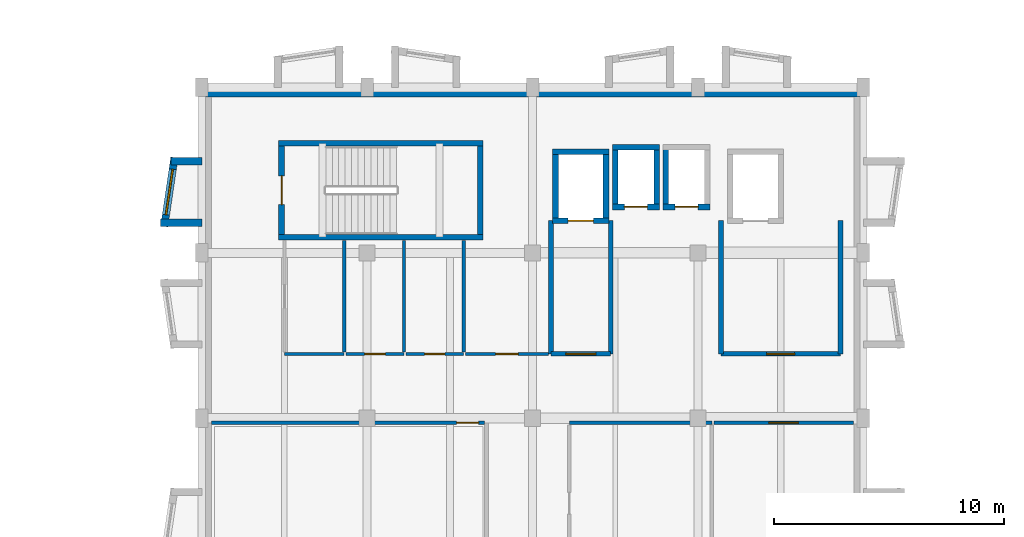
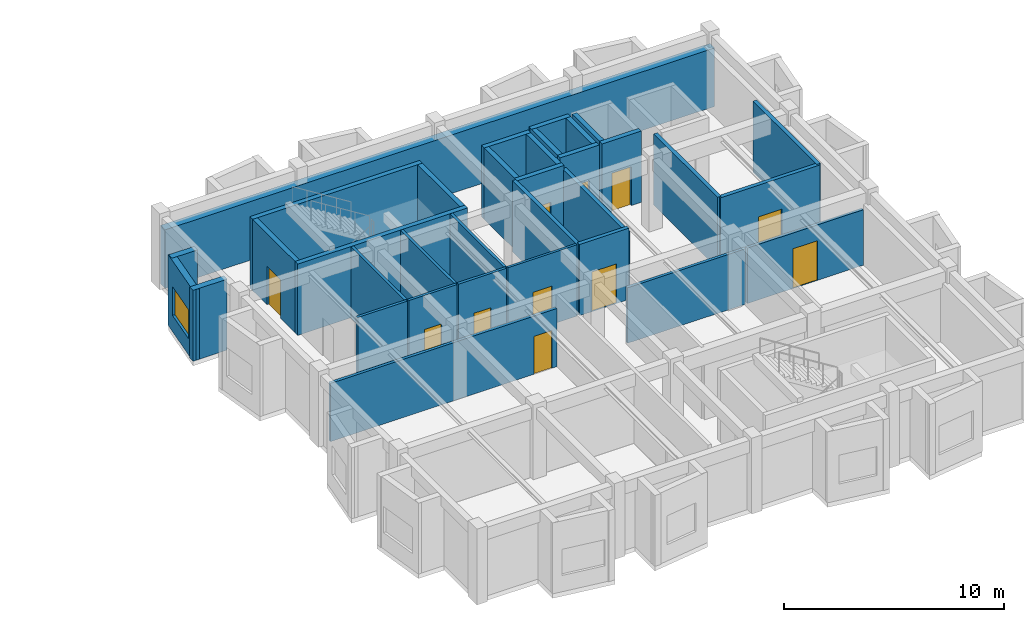
# One storey, part 38 of 49: 34 walls, 11 doors, 1 window, 12 openings.
"""IFC4 building model written with IfcOpenShell, lengths in metres."""

from ifc_helpers import new_model, si_unit, direction, frame, frame_2d, origin, place, context, subcontext, project, spatial, rectangle, extrude, material, layer, layer_set, type_object, element, fill, save


model = new_model("IFC4")

# Units and contexts
model_context = context("Model", 3, precision=1e-05, world=origin(), true_north=direction((0.0, 1.0)))
body_context = subcontext(model_context, "Body", "Model", "MODEL_VIEW")
ifc_project = project(units=[si_unit("LENGTHUNIT", "METRE"), si_unit("AREAUNIT", "SQUARE_METRE"), si_unit("VOLUMEUNIT", "CUBIC_METRE"), si_unit("PLANEANGLEUNIT", "RADIAN"), si_unit("MASSUNIT", "GRAM", prefix="KILO")], contexts=[model_context])

# Site, building, storey
site_placement = place(None, origin())
site = spatial("IfcSite", under=ifc_project, at=site_placement, CompositionType="ELEMENT")
building_placement = place(site_placement, origin())
building = spatial("IfcBuilding", under=site, at=building_placement, Name="Bramveld Media Centre", CompositionType="ELEMENT")
storey_placement = place(building_placement, frame((0.0, 0.0, 9.60009765625)))
storey = spatial("IfcBuildingStorey", under=building, at=storey_placement, Name="L02", CompositionType="ELEMENT", Elevation=9.60009765625)

# Walls
ifc_material_1 = material(Name="Concrete C40/50 stair & lift core wall", Category="concrete")
ifc_layer_1 = layer(ifc_material_1, 0.25)
ifc_layer_set_1 = layer_set([ifc_layer_1], Name="Concrete C40/50 stair & lift core wall")
wall_type_1 = type_object("IfcWallType", Name="CWALL-SHEAR-250", PredefinedType="SHEAR", material=ifc_layer_set_1)
for number, where, z_axis, x_axis, name in (
    (1, (134.550048828125, 105.47509765625, 0.0), (0.0, 0.0, 1.0), (1.0, 0.0, 0.0), "ST-01 L02 stair core shear wall S"),
    (2, (143.449951171875, 109.574951171875, 0.0), (0.0, 0.0, 1.0), (-1.0, 0.0, 0.0), "ST-01 L02 stair core shear wall N"),
):
    element("IfcWall", number, at=place(storey_placement, frame(where, z_axis=z_axis, x_axis=x_axis)), inside=storey, type_object=wall_type_1, Name=name, PredefinedType="SHEAR", context=body_context, shape_type="SweptSolid", body=[
        extrude(rectangle(XDim=8.89990234375, YDim=0.25, at=frame_2d((4.449951171875, 0.0))), origin(), (0.0, 0.0, 1.0), 3.949951171875),
    ])

# Wall, opening, door
wall_1_placement = place(storey_placement, frame((134.675048828125, 109.449951171875, 0.0), z_axis=(0.0, 0.0, 1.0), x_axis=(0.0, -1.0, 0.0)))
wall_1 = element("IfcWall", 3, at=wall_1_placement, inside=storey, type_object=wall_type_1, Name="ST-01 L02 stair core shear wall W", PredefinedType="SHEAR", context=body_context, shape_type="SweptSolid", body=[
    extrude(rectangle(XDim=3.849853515625, YDim=0.25, at=frame_2d((1.9248046875, 0.0))), origin(), (0.0, 0.0, 1.0), 3.949951171875),
])
opening_1_placement = place(wall_1_placement, frame((1.300048828125, 0.0, 0.0)))
opening_1 = element("IfcOpeningElement", 4, at=opening_1_placement, cuts=wall_1, Name="Opening SD-01-L02", PredefinedType="OPENING", context=body_context, shape_type="SweptSolid", body=[
    extrude(rectangle(XDim=1.25, YDim=2.14990234375, at=frame_2d((0.625, 1.074951171875))), frame((0.0, 0.136962890625, 0.0), z_axis=(0.0, -1.0, 0.0), x_axis=(1.0, 0.0, 0.0)), (0.0, 0.0, 1.0), 0.27392578125),
])
ifc_material_2 = material(Name="Painted galvanized steel acoustic fire door with intumescent smoke seals", Category="steel")
door_type_1 = type_object("IfcDoorType", Name="DR-ST-1250", OperationType="NOTDEFINED", PredefinedType="DOOR", material=ifc_material_2)
door_1_placement = place(opening_1_placement, origin())
door_1 = element("IfcDoor", 5, at=door_1_placement, inside=storey, type_object=door_type_1, Name="ST-01 L02 pressurized stair fire door", OperationType="SINGLE_SWING_LEFT", OverallHeight=2.14990234375, OverallWidth=1.25, PredefinedType="DOOR", context=body_context, shape_type="SweptSolid", body=[
    extrude(rectangle(XDim=1.25, YDim=2.14990234375, at=frame_2d((0.625, 1.074951171875))), frame((0.0, 0.02490234375, 0.0), z_axis=(0.0, -1.0, 0.0), x_axis=(1.0, 0.0, 0.0)), (0.0, 0.0, 1.0), 0.050048828125),
])
fill(opening_1, door_1)

# Wall
wall_2_placement = place(storey_placement, frame((143.324951171875, 105.60009765625, 0.0), z_axis=(0.0, 0.0, 1.0), x_axis=(0.0, 1.0, 0.0)))
element("IfcWall", 6, at=wall_2_placement, inside=storey, type_object=wall_type_1, Name="ST-01 L02 stair core shear wall E", PredefinedType="SHEAR", context=body_context, shape_type="SweptSolid", body=[
    extrude(rectangle(XDim=3.849853515625, YDim=0.25, at=frame_2d((1.9248046875, 0.0))), origin(), (0.0, 0.0, 1.0), 3.949951171875),
])

# Wall, opening, door
wall_3_placement = place(storey_placement, frame((146.47509765625, 106.199951171875, 0.0), z_axis=(0.0, 0.0, 1.0), x_axis=(1.0, 0.0, 0.0)))
wall_3 = element("IfcWall", 7, at=wall_3_placement, inside=storey, type_object=wall_type_1, Name="FL-01 L02 lift shaft wall S", PredefinedType="SHEAR", context=body_context, shape_type="SweptSolid", body=[
    extrude(rectangle(XDim=2.449951171875, YDim=0.25, at=frame_2d((1.22509765625, 0.0))), origin(), (0.0, 0.0, 1.0), 3.949951171875),
])
opening_2_placement = place(wall_3_placement, frame((0.675048828125, 0.0, 0.0)))
opening_2 = element("IfcOpeningElement", 8, at=opening_2_placement, cuts=wall_3, Name="Opening LD-01-01-L02", PredefinedType="OPENING", context=body_context, shape_type="SweptSolid", body=[
    extrude(rectangle(XDim=1.10009765625, YDim=2.14990234375, at=frame_2d((0.550048828125, 1.074951171875))), frame((0.0, 0.136962890625, 0.0), z_axis=(0.0, -1.0, 0.0), x_axis=(1.0, 0.0, 0.0)), (0.0, 0.0, 1.0), 0.27392578125),
])
ifc_material_3 = material(Name="Brushed stainless steel automatic fire-rated sliding lift landing door", Category="steel")
door_type_2 = type_object("IfcDoorType", Name="LD-TYPE-01", OperationType="SLIDING_TO_LEFT", PredefinedType="DOOR", material=ifc_material_3)
door_2_placement = place(opening_2_placement, origin())
door_2 = element("IfcDoor", 9, at=door_2_placement, inside=storey, type_object=door_type_2, Name="FL-01 L02 sliding lift landing door", OperationType="SLIDING_TO_LEFT", OverallHeight=2.14990234375, OverallWidth=1.10009765625, PredefinedType="DOOR", context=body_context, shape_type="SweptSolid", body=[
    extrude(rectangle(XDim=1.10009765625, YDim=2.14990234375, at=frame_2d((0.550048828125, 1.074951171875))), frame((0.0, 0.02490234375, 0.0), z_axis=(0.0, -1.0, 0.0), x_axis=(1.0, 0.0, 0.0)), (0.0, 0.0, 1.0), 0.050048828125),
])
fill(opening_2, door_2)

# Walls
wall_4_placement = place(storey_placement, frame((148.925048828125, 109.199951171875, 0.0), z_axis=(0.0, 0.0, 1.0), x_axis=(-1.0, 0.0, 0.0)))
element("IfcWall", 10, at=wall_4_placement, inside=storey, type_object=wall_type_1, Name="FL-01 L02 lift shaft wall N", PredefinedType="SHEAR", context=body_context, shape_type="SweptSolid", body=[
    extrude(rectangle(XDim=2.449951171875, YDim=0.25, at=frame_2d((1.22509765625, 0.0))), origin(), (0.0, 0.0, 1.0), 3.949951171875),
])
for number, where, z_axis, x_axis, name in (
    (11, (146.60009765625, 109.199951171875, 0.0), (0.0, 0.0, 1.0), (0.0, -1.0, 0.0), "FL-01 L02 lift shaft wall W"),
    (12, (148.800048828125, 106.199951171875, 0.0), (0.0, 0.0, 1.0), (0.0, 1.0, 0.0), "FL-01 L02 lift shaft wall E"),
):
    element("IfcWall", number, at=place(storey_placement, frame(where, z_axis=z_axis, x_axis=x_axis)), inside=storey, type_object=wall_type_1, Name=name, PredefinedType="SHEAR", context=body_context, shape_type="SweptSolid", body=[
        extrude(rectangle(XDim=3.0, YDim=0.25, at=frame_2d((1.5, 0.0))), origin(), (0.0, 0.0, 1.0), 3.949951171875),
    ])

# Wall, opening, door
wall_5_placement = place(storey_placement, frame((149.074951171875, 106.800048828125, 0.0), z_axis=(0.0, 0.0, 1.0), x_axis=(1.0, 0.0, 0.0)))
wall_5 = element("IfcWall", 13, at=wall_5_placement, inside=storey, type_object=wall_type_1, Name="PL-01 L02 lift shaft wall S", PredefinedType="SHEAR", context=body_context, shape_type="SweptSolid", body=[
    extrude(rectangle(XDim=2.050048828125, YDim=0.25, at=frame_2d((1.02490234375, 0.0))), origin(), (0.0, 0.0, 1.0), 3.949951171875),
])
opening_3_placement = place(wall_5_placement, frame((0.52490234375, 0.0, 0.0)))
opening_3 = element("IfcOpeningElement", 14, at=opening_3_placement, cuts=wall_5, Name="Opening LD-02-01-L02", PredefinedType="OPENING", context=body_context, shape_type="SweptSolid", body=[
    extrude(rectangle(XDim=1.0, YDim=2.14990234375, at=frame_2d((0.5, 1.074951171875))), frame((0.0, 0.136962890625, 0.0), z_axis=(0.0, -1.0, 0.0), x_axis=(1.0, 0.0, 0.0)), (0.0, 0.0, 1.0), 0.27392578125),
])
ifc_material_4 = material(Name="Brushed stainless steel automatic fire-rated sliding lift landing door", Category="steel")
door_type_3 = type_object("IfcDoorType", Name="LD-TYPE-02", OperationType="SLIDING_TO_LEFT", PredefinedType="DOOR", material=ifc_material_4)
door_3_placement = place(opening_3_placement, origin())
door_3 = element("IfcDoor", 15, at=door_3_placement, inside=storey, type_object=door_type_3, Name="PL-01 L02 sliding lift landing door", OperationType="SLIDING_TO_LEFT", OverallHeight=2.14990234375, OverallWidth=1.0, PredefinedType="DOOR", context=body_context, shape_type="SweptSolid", body=[
    extrude(rectangle(XDim=1.0, YDim=2.14990234375, at=frame_2d((0.5, 1.074951171875))), frame((0.0, 0.02490234375, 0.0), z_axis=(0.0, -1.0, 0.0), x_axis=(1.0, 0.0, 0.0)), (0.0, 0.0, 1.0), 0.050048828125),
])
fill(opening_3, door_3)

# Walls
wall_6_placement = place(storey_placement, frame((151.125, 109.39990234375, 0.0), z_axis=(0.0, 0.0, 1.0), x_axis=(-1.0, 0.0, 0.0)))
element("IfcWall", 16, at=wall_6_placement, inside=storey, type_object=wall_type_1, Name="PL-01 L02 lift shaft wall N", PredefinedType="SHEAR", context=body_context, shape_type="SweptSolid", body=[
    extrude(rectangle(XDim=2.050048828125, YDim=0.25, at=frame_2d((1.02490234375, 0.0))), origin(), (0.0, 0.0, 1.0), 3.949951171875),
])
for number, where, z_axis, x_axis, name in (
    (17, (149.199951171875, 109.39990234375, 0.0), (0.0, 0.0, 1.0), (0.0, -1.0, 0.0), "PL-01 L02 lift shaft wall W"),
    (18, (151.0, 106.800048828125, 0.0), (0.0, 0.0, 1.0), (0.0, 1.0, 0.0), "PL-01 L02 lift shaft wall E"),
):
    element("IfcWall", number, at=place(storey_placement, frame(where, z_axis=z_axis, x_axis=x_axis)), inside=storey, type_object=wall_type_1, Name=name, PredefinedType="SHEAR", context=body_context, shape_type="SweptSolid", body=[
        extrude(rectangle(XDim=2.599853515625, YDim=0.25, at=frame_2d((1.2998046875, 0.0))), origin(), (0.0, 0.0, 1.0), 3.949951171875),
    ])

# Wall, opening, door
wall_7_placement = place(storey_placement, frame((151.27490234375, 106.800048828125, 0.0), z_axis=(0.0, 0.0, 1.0), x_axis=(1.0, 0.0, 0.0)))
wall_7 = element("IfcWall", 19, at=wall_7_placement, inside=storey, type_object=wall_type_1, Name="PL-02 L02 lift shaft wall S", PredefinedType="SHEAR", context=body_context, shape_type="SweptSolid", body=[
    extrude(rectangle(XDim=2.050048828125, YDim=0.25, at=frame_2d((1.02490234375, 0.0))), origin(), (0.0, 0.0, 1.0), 3.949951171875),
])
opening_4_placement = place(wall_7_placement, frame((0.52490234375, 0.0, 0.0)))
opening_4 = element("IfcOpeningElement", 20, at=opening_4_placement, cuts=wall_7, Name="Opening LD-02-02-L02", PredefinedType="OPENING", context=body_context, shape_type="SweptSolid", body=[
    extrude(rectangle(XDim=1.0, YDim=2.14990234375, at=frame_2d((0.5, 1.074951171875))), frame((0.0, 0.136962890625, 0.0), z_axis=(0.0, -1.0, 0.0), x_axis=(1.0, 0.0, 0.0)), (0.0, 0.0, 1.0), 0.27392578125),
])
door_4_placement = place(opening_4_placement, origin())
door_4 = element("IfcDoor", 21, at=door_4_placement, inside=storey, type_object=door_type_3, Name="PL-02 L02 sliding lift landing door", OperationType="SLIDING_TO_LEFT", OverallHeight=2.14990234375, OverallWidth=1.0, PredefinedType="DOOR", context=body_context, shape_type="SweptSolid", body=[
    extrude(rectangle(XDim=1.0, YDim=2.14990234375, at=frame_2d((0.5, 1.074951171875))), frame((0.0, 0.02490234375, 0.0), z_axis=(0.0, -1.0, 0.0), x_axis=(1.0, 0.0, 0.0)), (0.0, 0.0, 1.0), 0.050048828125),
])
fill(opening_4, door_4)

# Walls
wall_8_placement = place(storey_placement, frame((151.39990234375, 109.39990234375, 0.0), z_axis=(0.0, 0.0, 1.0), x_axis=(0.0, -1.0, 0.0)))
element("IfcWall", 22, at=wall_8_placement, inside=storey, type_object=wall_type_1, Name="PL-02 L02 lift shaft wall W", PredefinedType="SHEAR", context=body_context, shape_type="SweptSolid", body=[
    extrude(rectangle(XDim=2.599853515625, YDim=0.25, at=frame_2d((1.2998046875, 0.0))), origin(), (0.0, 0.0, 1.0), 3.949951171875),
])
ifc_material_5 = material(Name="Flemish red-brown clay facing brick cavity wall with concrete C35/45 inner leaf", Category="masonry")
ifc_layer_2 = layer(ifc_material_5, 0.419921875)
ifc_layer_set_2 = layer_set([ifc_layer_2], Name="Flemish red-brown clay facing brick cavity wall with concrete C35/45 inner leaf")
wall_type_2 = type_object("IfcWallType", Name="EW-BRK-420", PredefinedType="SOLIDWALL", material=ifc_layer_set_2)
wall_9_placement = place(storey_placement, frame((131.199951171875, 111.7900390625, 0.0), z_axis=(0.0, 0.0, 1.0), x_axis=(1.0, 0.0, 0.0)))
element("IfcWall", 23, at=wall_9_placement, inside=storey, type_object=wall_type_2, Name="V7 L02 N facing brick exterior wall", PredefinedType="SOLIDWALL", context=body_context, shape_type="SweptSolid", body=[
    extrude(rectangle(XDim=28.800048828125, YDim=0.419921875, at=frame_2d((14.39990234375, 0.0))), origin(), (0.0, 0.0, 1.0), 3.244873046875),
])

# Wall, opening, window
ifc_material_6 = material(Name="Precast concrete C40/50 & brick-slip faceted bay cheek wall", Category="masonry")
ifc_layer_3 = layer(ifc_material_6, 0.320068359375)
ifc_layer_set_3 = layer_set([ifc_layer_3], Name="Precast concrete C40/50 & brick-slip faceted bay cheek wall")
wall_type_3 = type_object("IfcWallType", Name="EW-FACET-320", PredefinedType="SOLIDWALL", material=ifc_layer_set_3)
wall_10_placement = place(storey_placement, frame((130.010009765625, 108.949951171875, 0.0), z_axis=(0.0, 0.0, 1.0), x_axis=(-0.146119746268, -0.989266910268, 0.0)))
wall_10 = element("IfcWall", 24, at=wall_10_placement, inside=storey, type_object=wall_type_3, Name="V7 L02 W angled faceted bay front wall 4", PredefinedType="SOLIDWALL", context=body_context, shape_type="SweptSolid", body=[
    extrude(rectangle(XDim=3.032470703125, YDim=0.320068359375, at=frame_2d((1.51611328125, 0.0))), origin(), (0.0, 0.0, 1.0), 3.929931640625),
])
opening_5_placement = place(wall_10_placement, frame((0.516357421875, 0.0, 0.89990234375)))
opening_5 = element("IfcOpeningElement", 25, at=opening_5_placement, cuts=wall_10, Name="Opening W-31", PredefinedType="OPENING", context=body_context, shape_type="SweptSolid", body=[
    extrude(rectangle(XDim=2.0, YDim=1.60009765625, at=frame_2d((1.0, 0.800048828125))), frame((0.0, 0.171875, 0.0), z_axis=(0.0, -1.0, 0.0), x_axis=(1.0, 0.0, 0.0)), (0.0, 0.0, 1.0), 0.343994140625),
])
ifc_material_7 = material(Name="Thermally broken anodized bronze aluminium frame with triple acoustic glazing", Category="aluminium")
window_type = type_object("IfcWindowType", Name="WIN-FAC-31", PartitioningType="SINGLE_PANEL", PredefinedType="WINDOW", material=ifc_material_7)
window_placement = place(opening_5_placement, origin())
window = element("IfcWindow", 26, at=window_placement, inside=storey, type_object=window_type, Name="V7 L02 W faceted bay window 4", OverallHeight=1.60009765625, OverallWidth=2.0, PartitioningType="SINGLE_PANEL", PredefinedType="WINDOW", context=body_context, shape_type="SweptSolid", body=[
    extrude(rectangle(XDim=2.0, YDim=1.60009765625, at=frame_2d((1.0, 0.800048828125))), frame((0.0, 0.030029296875, 0.0), z_axis=(0.0, -1.0, 0.0), x_axis=(1.0, 0.0, 0.0)), (0.0, 0.0, 1.0), 0.06005859375),
])
fill(opening_5, window)

# Walls
wall_11_placement = place(storey_placement, frame((131.199951171875, 106.110107421875, 0.0), z_axis=(0.0, 0.0, 1.0), x_axis=(-1.0, 0.0, 0.0)))
element("IfcWall", 27, at=wall_11_placement, inside=storey, type_object=wall_type_3, Name="V7 L02 W faceted bay cheek wall", PredefinedType="SOLIDWALL", context=body_context, shape_type="SweptSolid", body=[
    extrude(rectangle(XDim=1.79296875, YDim=0.320068359375, at=frame_2d((0.896484375, 0.0))), origin(), (0.0, 0.0, 1.0), 3.929931640625),
])
wall_12_placement = place(storey_placement, frame((131.199951171875, 108.7900390625, 0.0), z_axis=(0.0, 0.0, 1.0), x_axis=(-1.0, 0.0, 0.0)))
element("IfcWall", 28, at=wall_12_placement, inside=storey, type_object=wall_type_3, Name="V7 L02 W faceted bay cheek wall", PredefinedType="SOLIDWALL", context=body_context, shape_type="SweptSolid", body=[
    extrude(rectangle(XDim=1.349853515625, YDim=0.320068359375, at=frame_2d((0.6748046875, 0.0))), origin(), (0.0, 0.0, 1.0), 3.929931640625),
])

# Wall, opening, door
ifc_material_8 = material(Name="Acoustic calcium-silicate & mineral-wool compartment partition", Category="masonry")
ifc_layer_4 = layer(ifc_material_8, 0.199951171875)
ifc_layer_set_4 = layer_set([ifc_layer_4], Name="Acoustic calcium-silicate & mineral-wool compartment partition")
wall_type_4 = type_object("IfcWallType", Name="IW-ACOU-200", PredefinedType="PARTITIONING", material=ifc_layer_set_4)
wall_13_placement = place(storey_placement, frame((146.39990234375, 100.39990234375, 0.0), z_axis=(0.0, 0.0, 1.0), x_axis=(1.0, 0.0, 0.0)))
wall_13 = element("IfcWall", 29, at=wall_13_placement, inside=storey, type_object=wall_type_4, Name="FL-01 L02 EI 120 firefighting lift lobby wall S", PredefinedType="PARTITIONING", context=body_context, shape_type="SweptSolid", body=[
    extrude(rectangle(XDim=2.60009765625, YDim=0.199951171875, at=frame_2d((1.300048828125, 0.0))), origin(), (0.0, 0.0, 1.0), 3.949951171875),
])
opening_6_placement = place(wall_13_placement, frame((0.64990234375, 0.0, 0.0)))
opening_6 = element("IfcOpeningElement", 30, at=opening_6_placement, cuts=wall_13, Name="Opening FD-01-L02", PredefinedType="OPENING", context=body_context, shape_type="SweptSolid", body=[
    extrude(rectangle(XDim=1.300048828125, YDim=2.199951171875, at=frame_2d((0.64990234375, 1.10009765625))), frame((0.0, 0.11181640625, 0.0), z_axis=(0.0, -1.0, 0.0), x_axis=(1.0, 0.0, 0.0)), (0.0, 0.0, 1.0), 0.223876953125),
])
ifc_material_9 = material(Name="Painted galvanized steel acoustic fire door with intumescent smoke seals", Category="steel")
door_type_4 = type_object("IfcDoorType", Name="DR-FFL-1300", OperationType="NOTDEFINED", PredefinedType="DOOR", material=ifc_material_9)
door_5_placement = place(opening_6_placement, origin())
door_5 = element("IfcDoor", 31, at=door_5_placement, inside=storey, type_object=door_type_4, Name="FL-01 L02 firefighting lobby smoke-control door", OperationType="SINGLE_SWING_LEFT", OverallHeight=2.199951171875, OverallWidth=1.300048828125, PredefinedType="DOOR", context=body_context, shape_type="SweptSolid", body=[
    extrude(rectangle(XDim=1.300048828125, YDim=2.199951171875, at=frame_2d((0.64990234375, 1.10009765625))), frame((0.0, 0.02490234375, 0.0), z_axis=(0.0, -1.0, 0.0), x_axis=(1.0, 0.0, 0.0)), (0.0, 0.0, 1.0), 0.050048828125),
])
fill(opening_6, door_5)

# Walls
wall_14_placement = place(storey_placement, frame((146.39990234375, 106.199951171875, 0.0), z_axis=(0.0, 0.0, 1.0), x_axis=(0.0, -1.0, 0.0)))
element("IfcWall", 32, at=wall_14_placement, inside=storey, type_object=wall_type_4, Name="FL-01 L02 EI 120 firefighting lift lobby wall W", PredefinedType="PARTITIONING", context=body_context, shape_type="SweptSolid", body=[
    extrude(rectangle(XDim=5.800048828125, YDim=0.199951171875, at=frame_2d((2.89990234375, 0.0))), origin(), (0.0, 0.0, 1.0), 3.949951171875),
])
wall_15_placement = place(storey_placement, frame((149.0, 100.39990234375, 0.0), z_axis=(0.0, 0.0, 1.0), x_axis=(0.0, 1.0, 0.0)))
element("IfcWall", 33, at=wall_15_placement, inside=storey, type_object=wall_type_4, Name="FL-01 L02 EI 120 firefighting lift lobby wall E", PredefinedType="PARTITIONING", context=body_context, shape_type="SweptSolid", body=[
    extrude(rectangle(XDim=5.800048828125, YDim=0.199951171875, at=frame_2d((2.89990234375, 0.0))), origin(), (0.0, 0.0, 1.0), 3.704833984375),
])

# Wall, opening, door
wall_16_placement = place(storey_placement, frame((153.800048828125, 100.39990234375, 0.0), z_axis=(0.0, 0.0, 1.0), x_axis=(1.0, 0.0, 0.0)))
wall_16 = element("IfcWall", 34, at=wall_16_placement, inside=storey, type_object=wall_type_4, Name="FL-02 L02 EI 120 firefighting lift lobby wall S", PredefinedType="PARTITIONING", context=body_context, shape_type="SweptSolid", body=[
    extrude(rectangle(XDim=5.199951171875, YDim=0.199951171875, at=frame_2d((2.60009765625, 0.0))), origin(), (0.0, 0.0, 1.0), 3.949951171875),
])
opening_7_placement = place(wall_16_placement, frame((1.989990234375, 0.0, 0.0)))
opening_7 = element("IfcOpeningElement", 35, at=opening_7_placement, cuts=wall_16, Name="Opening FD-02-L02", PredefinedType="OPENING", context=body_context, shape_type="SweptSolid", body=[
    extrude(rectangle(XDim=1.219970703125, YDim=2.199951171875, at=frame_2d((0.60986328125, 1.10009765625))), frame((0.0, 0.11181640625, 0.0), z_axis=(0.0, -1.0, 0.0), x_axis=(1.0, 0.0, 0.0)), (0.0, 0.0, 1.0), 0.223876953125),
])
ifc_material_10 = material(Name="Painted galvanized steel acoustic fire door with intumescent smoke seals", Category="steel")
door_type_5 = type_object("IfcDoorType", Name="DR-FFL-1220", OperationType="NOTDEFINED", PredefinedType="DOOR", material=ifc_material_10)
door_6_placement = place(opening_7_placement, origin())
door_6 = element("IfcDoor", 36, at=door_6_placement, inside=storey, type_object=door_type_5, Name="FL-02 L02 firefighting lobby smoke-control door", OperationType="SINGLE_SWING_LEFT", OverallHeight=2.199951171875, OverallWidth=1.219970703125, PredefinedType="DOOR", context=body_context, shape_type="SweptSolid", body=[
    extrude(rectangle(XDim=1.219970703125, YDim=2.199951171875, at=frame_2d((0.60986328125, 1.10009765625))), frame((0.0, 0.02490234375, 0.0), z_axis=(0.0, -1.0, 0.0), x_axis=(1.0, 0.0, 0.0)), (0.0, 0.0, 1.0), 0.050048828125),
])
fill(opening_7, door_6)

# Walls
for number, where, z_axis, x_axis, name in (
    (37, (153.800048828125, 106.199951171875, 0.0), (0.0, 0.0, 1.0), (0.0, -1.0, 0.0), "FL-02 L02 EI 120 firefighting lift lobby wall W"),
    (38, (159.0, 100.39990234375, 0.0), (0.0, 0.0, 1.0), (0.0, 1.0, 0.0), "FL-02 L02 EI 120 firefighting lift lobby wall E"),
):
    element("IfcWall", number, at=place(storey_placement, frame(where, z_axis=z_axis, x_axis=x_axis)), inside=storey, type_object=wall_type_4, Name=name, PredefinedType="PARTITIONING", context=body_context, shape_type="SweptSolid", body=[
        extrude(rectangle(XDim=5.800048828125, YDim=0.199951171875, at=frame_2d((2.89990234375, 0.0))), origin(), (0.0, 0.0, 1.0), 3.949951171875),
    ])

# Wall, opening, door
ifc_material_11 = material(Name="Lightweight acoustic stud partition", Category="gypsum")
ifc_layer_5 = layer(ifc_material_11, 0.125)
ifc_layer_set_5 = layer_set([ifc_layer_5], Name="Lightweight acoustic stud partition")
wall_type_5 = type_object("IfcWallType", Name="IW-PART-125", PredefinedType="PARTITIONING", material=ifc_layer_set_5)
wall_17_placement = place(storey_placement, frame((142.679931640625, 100.39990234375, 0.0), z_axis=(0.0, 0.0, 1.0), x_axis=(1.0, 0.0, 0.0)))
wall_17 = element("IfcWall", 39, at=wall_17_placement, inside=storey, type_object=wall_type_5, Name="Media Editing Booth L02 partition wall", PredefinedType="PARTITIONING", context=body_context, shape_type="SweptSolid", body=[
    extrude(rectangle(XDim=3.610107421875, YDim=0.125, at=frame_2d((1.80517578125, 0.0))), origin(), (0.0, 0.0, 1.0), 3.949951171875),
])
opening_8_placement = place(wall_17_placement, frame((1.31494140625, 0.0, 0.0)))
opening_8 = element("IfcOpeningElement", 40, at=opening_8_placement, cuts=wall_17, Name="Opening D-02-135", PredefinedType="OPENING", context=body_context, shape_type="SweptSolid", body=[
    extrude(rectangle(XDim=0.97998046875, YDim=2.1201171875, at=frame_2d((0.489990234375, 1.06005859375))), frame((0.0, 0.074462890625, 0.0), z_axis=(0.0, -1.0, 0.0), x_axis=(1.0, 0.0, 0.0)), (0.0, 0.0, 1.0), 0.14892578125),
])
ifc_material_12 = material(Name="Solid-core European oak acoustic timber leaf in steel frame", Category="steel")
door_type_6 = type_object("IfcDoorType", Name="DR-RM-0980", OperationType="NOTDEFINED", PredefinedType="DOOR", material=ifc_material_12)
door_7_placement = place(opening_8_placement, origin())
door_7 = element("IfcDoor", 41, at=door_7_placement, inside=storey, type_object=door_type_6, Name="Media Editing Booth L02 entrance door", OperationType="SINGLE_SWING_RIGHT", OverallHeight=2.1201171875, OverallWidth=0.97998046875, PredefinedType="DOOR", context=body_context, shape_type="SweptSolid", body=[
    extrude(rectangle(XDim=0.97998046875, YDim=2.1201171875, at=frame_2d((0.489990234375, 1.06005859375))), frame((0.0, 0.02490234375, 0.0), z_axis=(0.0, -1.0, 0.0), x_axis=(1.0, 0.0, 0.0)), (0.0, 0.0, 1.0), 0.050048828125),
])
fill(opening_8, door_7)

ifc_material_13 = material(Name="Insulated metal-stud gypsum room partition", Category="gypsum")
ifc_layer_6 = layer(ifc_material_13, 0.14990234375)
ifc_layer_set_6 = layer_set([ifc_layer_6], Name="Insulated metal-stud gypsum room partition")
wall_type_6 = type_object("IfcWallType", Name="IW-PART-150", PredefinedType="PARTITIONING", material=ifc_layer_set_6)
wall_18_placement = place(storey_placement, frame((131.6298828125, 97.39990234375, 0.0), z_axis=(0.0, 0.0, 1.0), x_axis=(1.0, 0.0, 0.0)))
wall_18 = element("IfcWall", 42, at=wall_18_placement, inside=storey, type_object=wall_type_6, Name="Documentary Commissioning Hub partition wall", PredefinedType="PARTITIONING", context=body_context, shape_type="SweptSolid", body=[
    extrude(rectangle(XDim=11.8701171875, YDim=0.14990234375, at=frame_2d((5.93505859375, 0.0))), origin(), (0.0, 0.0, 1.0), 3.224853515625),
])
opening_9_placement = place(wall_18_placement, frame((10.659912109375, 0.0, 0.0)))
opening_9 = element("IfcOpeningElement", 43, at=opening_9_placement, cuts=wall_18, Name="Opening D-02-136", PredefinedType="OPENING", context=body_context, shape_type="SweptSolid", body=[
    extrude(rectangle(XDim=0.9599609375, YDim=2.10009765625, at=frame_2d((0.47998046875, 1.050048828125))), frame((0.0, 0.0869140625, 0.0), z_axis=(0.0, -1.0, 0.0), x_axis=(1.0, 0.0, 0.0)), (0.0, 0.0, 1.0), 0.173828125),
])
ifc_material_14 = material(Name="Solid-core European oak acoustic timber leaf in steel frame", Category="steel")
door_type_7 = type_object("IfcDoorType", Name="DR-RM-0960", OperationType="NOTDEFINED", PredefinedType="DOOR", material=ifc_material_14)
door_8_placement = place(opening_9_placement, origin())
door_8 = element("IfcDoor", 44, at=door_8_placement, inside=storey, type_object=door_type_7, Name="Documentary Commissioning Hub entrance door", OperationType="SINGLE_SWING_LEFT", OverallHeight=2.10009765625, OverallWidth=0.9599609375, PredefinedType="DOOR", context=body_context, shape_type="SweptSolid", body=[
    extrude(rectangle(XDim=0.9599609375, YDim=2.10009765625, at=frame_2d((0.47998046875, 1.050048828125))), frame((0.0, 0.02490234375, 0.0), z_axis=(0.0, -1.0, 0.0), x_axis=(1.0, 0.0, 0.0)), (0.0, 0.0, 1.0), 0.050048828125),
])
fill(opening_9, door_8)

# Wall
wall_19_placement = place(storey_placement, frame((147.199951171875, 97.39990234375, 0.0), z_axis=(0.0, 0.0, 1.0), x_axis=(1.0, 0.0, 0.0)))
element("IfcWall", 45, at=wall_19_placement, inside=storey, type_object=wall_type_6, Name="Television Edit & Mastering Studio 1 partition wall", PredefinedType="PARTITIONING", context=body_context, shape_type="SweptSolid", body=[
    extrude(rectangle(XDim=6.199951171875, YDim=0.14990234375, at=frame_2d((3.10009765625, 0.0))), origin(), (0.0, 0.0, 1.0), 3.074951171875),
])

# Wall, opening, door
wall_20_placement = place(storey_placement, frame((153.485107421875, 97.39990234375, 0.0), z_axis=(0.0, 0.0, 1.0), x_axis=(1.0, 0.0, 0.0)))
wall_20 = element("IfcWall", 46, at=wall_20_placement, inside=storey, type_object=wall_type_6, Name="Broadcast Graphics & VFX Studio partition wall", PredefinedType="PARTITIONING", context=body_context, shape_type="SweptSolid", body=[
    extrude(rectangle(XDim=6.0849609375, YDim=0.14990234375, at=frame_2d((3.04248046875, 0.0))), origin(), (0.0, 0.0, 1.0), 3.074951171875),
])
opening_10_placement = place(wall_20_placement, frame((2.402587890625, 0.0, 0.0)))
opening_10 = element("IfcOpeningElement", 47, at=opening_10_placement, cuts=wall_20, Name="Opening D-02-139", PredefinedType="OPENING", context=body_context, shape_type="SweptSolid", body=[
    extrude(rectangle(XDim=1.280029296875, YDim=2.199951171875, at=frame_2d((0.64013671875, 1.10009765625))), frame((0.0, 0.0869140625, 0.0), z_axis=(0.0, -1.0, 0.0), x_axis=(1.0, 0.0, 0.0)), (0.0, 0.0, 1.0), 0.173828125),
])
ifc_material_15 = material(Name="Fire-rated acoustic timber & steel composite door", Category="steel")
door_type_8 = type_object("IfcDoorType", Name="DR-STU-1280", OperationType="NOTDEFINED", PredefinedType="DOOR", material=ifc_material_15)
door_9_placement = place(opening_10_placement, origin())
door_9 = element("IfcDoor", 48, at=door_9_placement, inside=storey, type_object=door_type_8, Name="Broadcast Graphics & VFX Studio entrance door", OperationType="SINGLE_SWING_RIGHT", OverallHeight=2.199951171875, OverallWidth=1.280029296875, PredefinedType="DOOR", context=body_context, shape_type="SweptSolid", body=[
    extrude(rectangle(XDim=1.280029296875, YDim=2.199951171875, at=frame_2d((0.64013671875, 1.10009765625))), frame((0.0, 0.02490234375, 0.0), z_axis=(0.0, -1.0, 0.0), x_axis=(1.0, 0.0, 0.0)), (0.0, 0.0, 1.0), 0.050048828125),
])
fill(opening_10, door_9)

# Walls
ifc_material_16 = material(Name="Moisture-resistant cement-board sanitary partition", Category="gypsum")
ifc_layer_7 = layer(ifc_material_16, 0.139892578125)
ifc_layer_set_7 = layer_set([ifc_layer_7], Name="Moisture-resistant cement-board sanitary partition")
wall_type_7 = type_object("IfcWallType", Name="IW-WET-140", PredefinedType="PARTITIONING", material=ifc_layer_set_7)
wall_21_placement = place(storey_placement, frame((134.800048828125, 100.39990234375, 0.0), z_axis=(0.0, 0.0, 1.0), x_axis=(1.0, 0.0, 0.0)))
element("IfcWall", 49, at=wall_21_placement, inside=storey, type_object=wall_type_7, Name="Accessible WC partition wall", PredefinedType="PARTITIONING", context=body_context, shape_type="SweptSolid", body=[
    extrude(rectangle(XDim=2.599853515625, YDim=0.139892578125, at=frame_2d((1.2998046875, 0.0))), origin(), (0.0, 0.0, 1.0), 3.949951171875),
])
wall_22_placement = place(storey_placement, frame((137.39990234375, 100.47998046875, 0.0), z_axis=(0.0, 0.0, 1.0), x_axis=(0.0, 1.0, 0.0)))
element("IfcWall", 50, at=wall_22_placement, inside=storey, type_object=wall_type_7, Name="Accessible WC partition wall", PredefinedType="PARTITIONING", context=body_context, shape_type="SweptSolid", body=[
    extrude(rectangle(XDim=4.860107421875, YDim=0.139892578125, at=frame_2d((2.43017578125, 0.0))), origin(), (0.0, 0.0, 1.0), 3.949951171875),
])

# Wall, opening, door
wall_23_placement = place(storey_placement, frame((137.47998046875, 100.39990234375, 0.0), z_axis=(0.0, 0.0, 1.0), x_axis=(1.0, 0.0, 0.0)))
wall_23 = element("IfcWall", 51, at=wall_23_placement, inside=storey, type_object=wall_type_7, Name="Male WC partition wall", PredefinedType="PARTITIONING", context=body_context, shape_type="SweptSolid", body=[
    extrude(rectangle(XDim=2.52001953125, YDim=0.139892578125, at=frame_2d((1.260009765625, 0.0))), origin(), (0.0, 0.0, 1.0), 3.949951171875),
])
opening_11_placement = place(wall_23_placement, frame((0.804931640625, 0.0, 0.0)))
opening_11 = element("IfcOpeningElement", 52, at=opening_11_placement, cuts=wall_23, Name="Opening D-02-133", PredefinedType="OPENING", context=body_context, shape_type="SweptSolid", body=[
    extrude(rectangle(XDim=0.909912109375, YDim=2.06005859375, at=frame_2d((0.455078125, 1.030029296875))), frame((0.0, 0.08203125, 0.0), z_axis=(0.0, -1.0, 0.0), x_axis=(1.0, 0.0, 0.0)), (0.0, 0.0, 1.0), 0.163818359375),
])
ifc_material_17 = material(Name="Solid-core European oak acoustic timber leaf in steel frame", Category="steel")
door_type_9 = type_object("IfcDoorType", Name="DR-WC-0910", OperationType="NOTDEFINED", PredefinedType="DOOR", material=ifc_material_17)
door_10_placement = place(opening_11_placement, origin())
door_10 = element("IfcDoor", 53, at=door_10_placement, inside=storey, type_object=door_type_9, Name="Male WC entrance door", OperationType="SINGLE_SWING_RIGHT", OverallHeight=2.06005859375, OverallWidth=0.909912109375, PredefinedType="DOOR", context=body_context, shape_type="SweptSolid", body=[
    extrude(rectangle(XDim=0.909912109375, YDim=2.06005859375, at=frame_2d((0.455078125, 1.030029296875))), frame((0.0, 0.02490234375, 0.0), z_axis=(0.0, -1.0, 0.0), x_axis=(1.0, 0.0, 0.0)), (0.0, 0.0, 1.0), 0.050048828125),
])
fill(opening_11, door_10)

# Wall
wall_24_placement = place(storey_placement, frame((140.0, 100.47998046875, 0.0), z_axis=(0.0, 0.0, 1.0), x_axis=(0.0, 1.0, 0.0)))
element("IfcWall", 54, at=wall_24_placement, inside=storey, type_object=wall_type_7, Name="Male WC partition wall", PredefinedType="PARTITIONING", context=body_context, shape_type="SweptSolid", body=[
    extrude(rectangle(XDim=4.860107421875, YDim=0.139892578125, at=frame_2d((2.43017578125, 0.0))), origin(), (0.0, 0.0, 1.0), 3.949951171875),
])

# Wall, opening, door
wall_25_placement = place(storey_placement, frame((140.080078125, 100.39990234375, 0.0), z_axis=(0.0, 0.0, 1.0), x_axis=(1.0, 0.0, 0.0)))
wall_25 = element("IfcWall", 55, at=wall_25_placement, inside=storey, type_object=wall_type_7, Name="Female WC partition wall", PredefinedType="PARTITIONING", context=body_context, shape_type="SweptSolid", body=[
    extrude(rectangle(XDim=2.52001953125, YDim=0.139892578125, at=frame_2d((1.260009765625, 0.0))), origin(), (0.0, 0.0, 1.0), 3.949951171875),
])
opening_12_placement = place(wall_25_placement, frame((0.81494140625, 0.0, 0.0)))
opening_12 = element("IfcOpeningElement", 56, at=opening_12_placement, cuts=wall_25, Name="Opening D-02-134", PredefinedType="OPENING", context=body_context, shape_type="SweptSolid", body=[
    extrude(rectangle(XDim=0.889892578125, YDim=2.050048828125, at=frame_2d((0.44482421875, 1.02490234375))), frame((0.0, 0.08203125, 0.0), z_axis=(0.0, -1.0, 0.0), x_axis=(1.0, 0.0, 0.0)), (0.0, 0.0, 1.0), 0.163818359375),
])
ifc_material_18 = material(Name="Solid-core European oak acoustic timber leaf in steel frame", Category="steel")
door_type_10 = type_object("IfcDoorType", Name="DR-WC-0890", OperationType="NOTDEFINED", PredefinedType="DOOR", material=ifc_material_18)
door_11_placement = place(opening_12_placement, origin())
door_11 = element("IfcDoor", 57, at=door_11_placement, inside=storey, type_object=door_type_10, Name="Female WC entrance door", OperationType="SINGLE_SWING_LEFT", OverallHeight=2.050048828125, OverallWidth=0.889892578125, PredefinedType="DOOR", context=body_context, shape_type="SweptSolid", body=[
    extrude(rectangle(XDim=0.889892578125, YDim=2.050048828125, at=frame_2d((0.44482421875, 1.02490234375))), frame((0.0, 0.02490234375, 0.0), z_axis=(0.0, -1.0, 0.0), x_axis=(1.0, 0.0, 0.0)), (0.0, 0.0, 1.0), 0.050048828125),
])
fill(opening_12, door_11)

# Wall
wall_26_placement = place(storey_placement, frame((142.60009765625, 100.47998046875, 0.0), z_axis=(0.0, 0.0, 1.0), x_axis=(0.0, 1.0, 0.0)))
element("IfcWall", 58, at=wall_26_placement, inside=storey, type_object=wall_type_7, Name="Female WC partition wall", PredefinedType="PARTITIONING", context=body_context, shape_type="SweptSolid", body=[
    extrude(rectangle(XDim=4.860107421875, YDim=0.139892578125, at=frame_2d((2.43017578125, 0.0))), origin(), (0.0, 0.0, 1.0), 3.949951171875),
])

save(model, "model.ifc")
